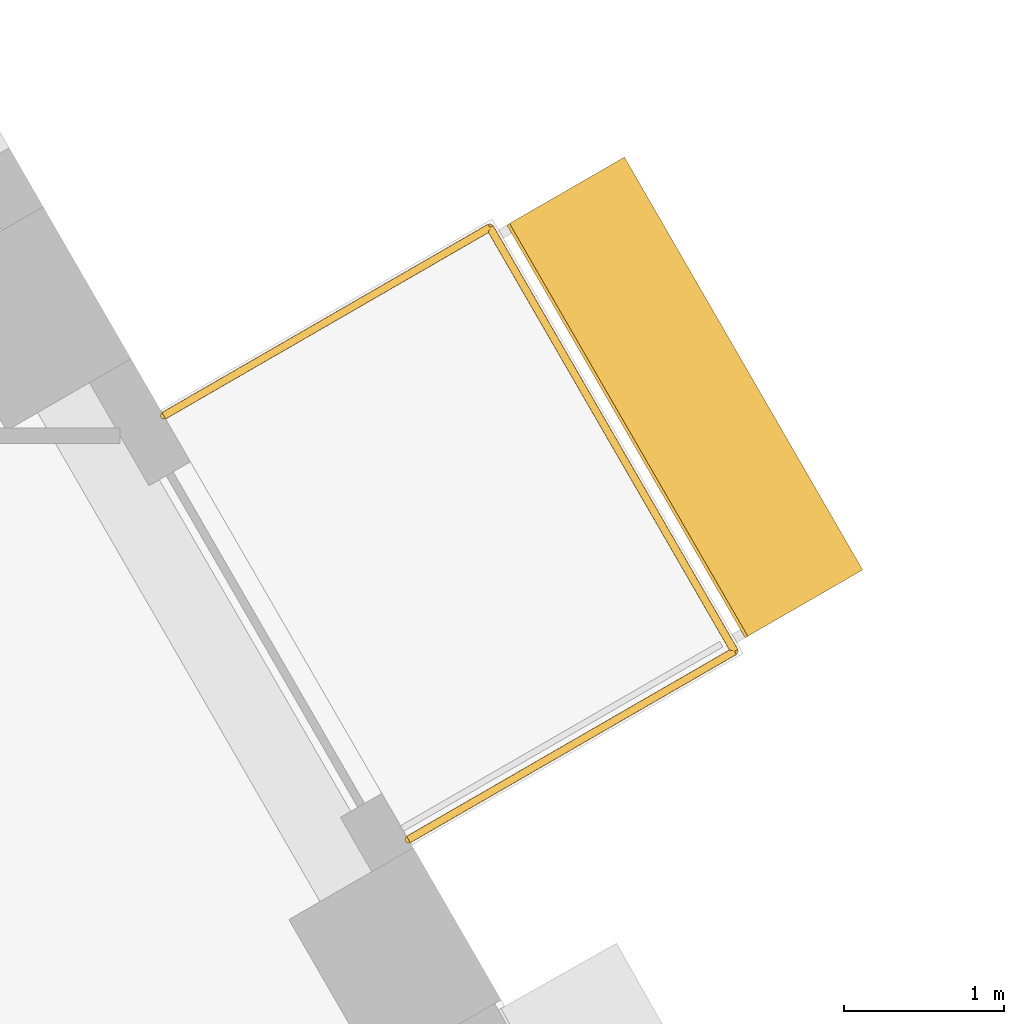
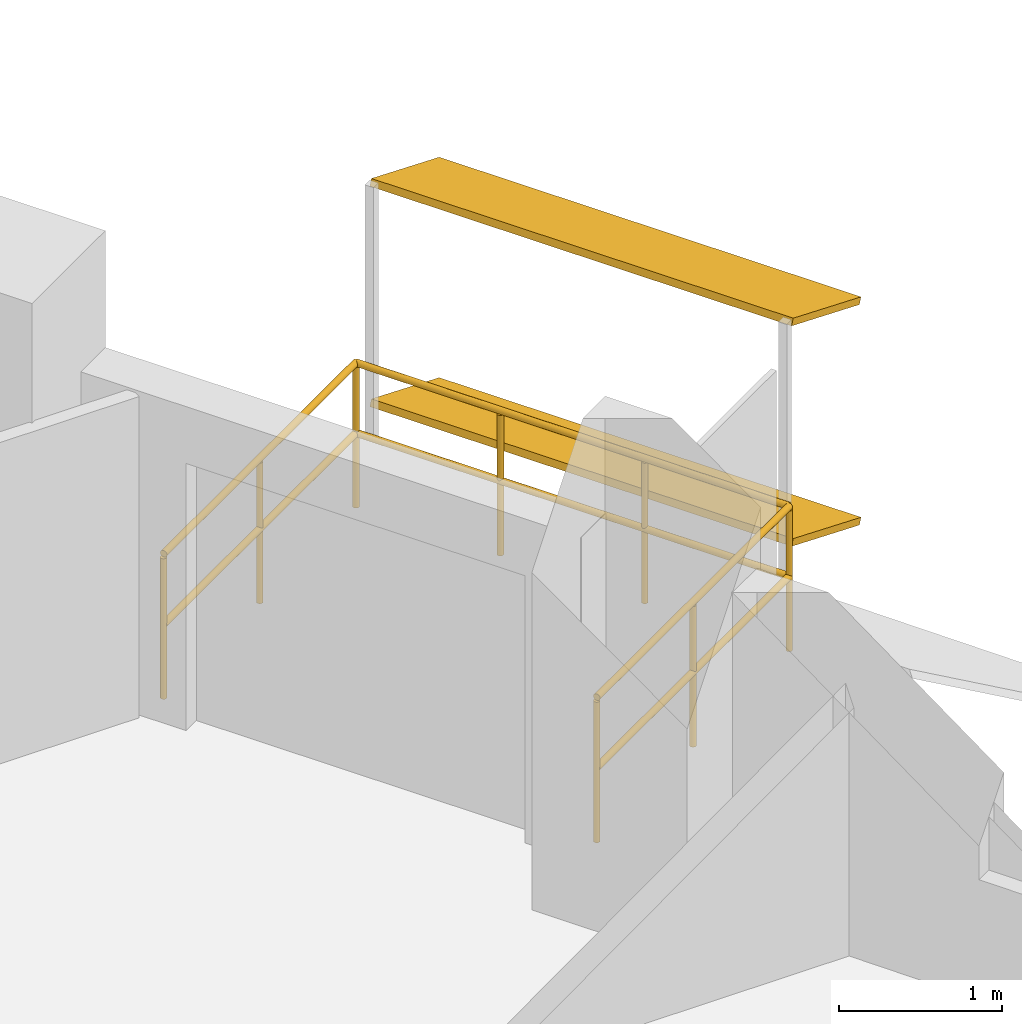
# One storey, part 16 of 16: 2 shading devices, 1 railing.
"""IFC4 building model written with IfcOpenShell, lengths in metres."""

from ifc_helpers import new_model, si_unit, direction, frame, origin, origin_2d, place, context, subcontext, project, spatial, rectangle, circle, extrude, material, material_profile, profile_set, type_object, element, save


model = new_model("IFC4")

# Units and contexts
model_context = context("Model", 3, precision=1e-05, world=origin(), true_north=direction((0.0, 1.0)))
body_context = subcontext(model_context, "Body", "Model", "MODEL_VIEW")
ifc_project = project(units=[si_unit("LENGTHUNIT", "METRE"), si_unit("AREAUNIT", "SQUARE_METRE"), si_unit("VOLUMEUNIT", "CUBIC_METRE"), si_unit("PLANEANGLEUNIT", "RADIAN"), si_unit("MASSUNIT", "GRAM", prefix="KILO")], contexts=[model_context])

# Site, building, storey
site_placement = place(None, origin())
site = spatial("IfcSite", under=ifc_project, at=site_placement, CompositionType="ELEMENT")
building_placement = place(site_placement, origin())
building = spatial("IfcBuilding", under=site, at=building_placement, Name="Nakaniwa Court", CompositionType="ELEMENT")
storey_placement = place(building_placement, frame((0.0, 0.0, 226.199951171875)))
storey = spatial("IfcBuildingStorey", under=building, at=storey_placement, Name="L58", CompositionType="ELEMENT", Elevation=226.199951171875)

# Railing
ifc_material_1 = material(Name="Black powder-coated steel flat bar balustrade S275", Category="steel")
railing_type = type_object("IfcRailingType", Name="Black metal balcony guard 1100", PredefinedType="GUARDRAIL", material=ifc_material_1)
railing_placement = place(storey_placement, frame((101.543701171875, 87.9853515625, -0.050048828125)))
element("IfcRailing", 1, at=railing_placement, inside=storey, type_object=railing_type, Name="L58 balcony guard 02", PredefinedType="GUARDRAIL", context=body_context, shape_type="SweptSolid", body=[
    extrude(circle(Radius=0.02392578125, at=origin_2d()), frame((0.0, 0.0, 1.076171875), z_axis=(0.866025363618, 0.50000006957, 0.0), x_axis=(-0.50000006957, 0.866025363618, 0.0)), (0.0, 0.0, 1.0), 2.35986328125),
    extrude(circle(Radius=0.02392578125, at=origin_2d()), frame((0.0, 0.0, 0.550048828125), z_axis=(0.866025363618, 0.50000006957, 0.0), x_axis=(-0.50000006957, 0.866025363618, 0.0)), (0.0, 0.0, 1.0), 2.35986328125),
    extrude(circle(Radius=0.02392578125, at=origin_2d()), frame((2.043701171875, 1.179931640625, 1.076171875), z_axis=(-0.499965915279, 0.866045081713, 0.0), x_axis=(-0.866045081713, -0.499965915279, 0.0)), (0.0, 0.0, 1.0), 3.067138671875),
    extrude(circle(Radius=0.02392578125, at=origin_2d()), frame((2.043701171875, 1.179931640625, 0.550048828125), z_axis=(-0.499965915279, 0.866045081713, 0.0), x_axis=(-0.866045081713, -0.499965915279, 0.0)), (0.0, 0.0, 1.0), 3.067138671875),
    extrude(circle(Radius=0.02392578125, at=origin_2d()), frame((0.51025390625, 3.836181640625, 1.076171875), z_axis=(-0.866025363618, -0.50000006957, 0.0), x_axis=(0.50000006957, -0.866025363618, 0.0)), (0.0, 0.0, 1.0), 2.35986328125),
    extrude(circle(Radius=0.02392578125, at=origin_2d()), frame((0.51025390625, 3.836181640625, 0.550048828125), z_axis=(-0.866025363618, -0.50000006957, 0.0), x_axis=(0.50000006957, -0.866025363618, 0.0)), (0.0, 0.0, 1.0), 2.35986328125),
    extrude(circle(Radius=0.02099609375, at=origin_2d()), origin(), (0.0, 0.0, 1.0), 1.052001953125),
    extrude(circle(Radius=0.02099609375, at=origin_2d()), frame((1.02197265625, 0.58984375, 0.0)), (0.0, 0.0, 1.0), 1.052001953125),
    extrude(circle(Radius=0.02099609375, at=origin_2d()), frame((2.043701171875, 1.179931640625, 0.0)), (0.0, 0.0, 1.0), 1.052001953125),
    extrude(circle(Radius=0.02099609375, at=origin_2d()), frame((1.532470703125, 2.0654296875, 0.0)), (0.0, 0.0, 1.0), 1.052001953125),
    extrude(circle(Radius=0.02099609375, at=origin_2d()), frame((1.021484375, 2.95068359375, 0.0)), (0.0, 0.0, 1.0), 1.052001953125),
    extrude(circle(Radius=0.02099609375, at=origin_2d()), frame((0.51025390625, 3.836181640625, 0.0)), (0.0, 0.0, 1.0), 1.052001953125),
    extrude(circle(Radius=0.02099609375, at=origin_2d()), frame((-0.51171875, 3.24609375, 0.0)), (0.0, 0.0, 1.0), 1.052001953125),
    extrude(circle(Radius=0.02099609375, at=origin_2d()), frame((-1.533447265625, 2.65625, 0.0)), (0.0, 0.0, 1.0), 1.052001953125),
])

# Shading devices
ifc_material_2 = material(Name="Perforated charcoal ceramic louvre blade")
ifc_material_profile = material_profile(ifc_material_2, rectangle(XDim=0.89990234375, YDim=0.050048828125, at=origin_2d()), Name="Perforated ceramic louvre blade")
ifc_profile_set = profile_set([ifc_material_profile], Name="Perforated charcoal ceramic louvre blade")
shading_device_type = type_object("IfcShadingDeviceType", Name="Perforated ceramic louvre blade", PredefinedType="JALOUSIE", material=ifc_profile_set)
for number, where, z_axis, x_axis, name in (
    (2, (104.022216796875, 89.462646484375, 0.5), (-0.4999630079, 0.86604676013, 0.0), (-0.800122875882, -0.461905590012, 0.382683432365), "L58 perforated ceramic louvre blade 02 1"),
    (3, (104.022216796875, 89.462646484375, 2.150146484375), (-0.4999630079, 0.86604676013, 0.0), (-0.800122875882, -0.461905590012, 0.382683432365), "L58 perforated ceramic louvre blade 02 2"),
):
    element("IfcShadingDevice", number, at=place(storey_placement, frame(where, z_axis=z_axis, x_axis=x_axis)), inside=storey, type_object=shading_device_type, Name=name, PredefinedType="JALOUSIE", context=body_context, shape_type="SweptSolid", body=[
        extrude(rectangle(XDim=0.89990234375, YDim=0.050048828125, at=origin_2d()), origin(), (0.0, 0.0, 1.0), 2.987060546875),
    ])

save(model, "model.ifc")
